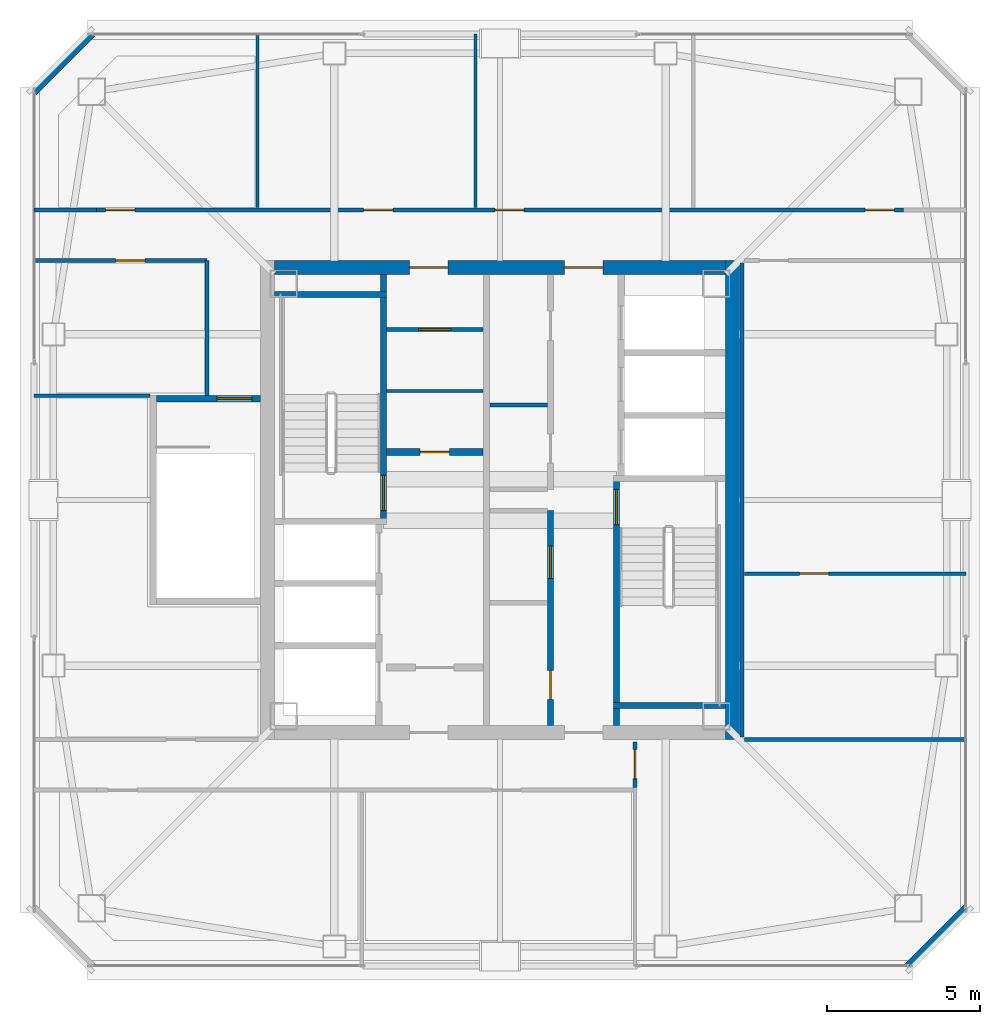
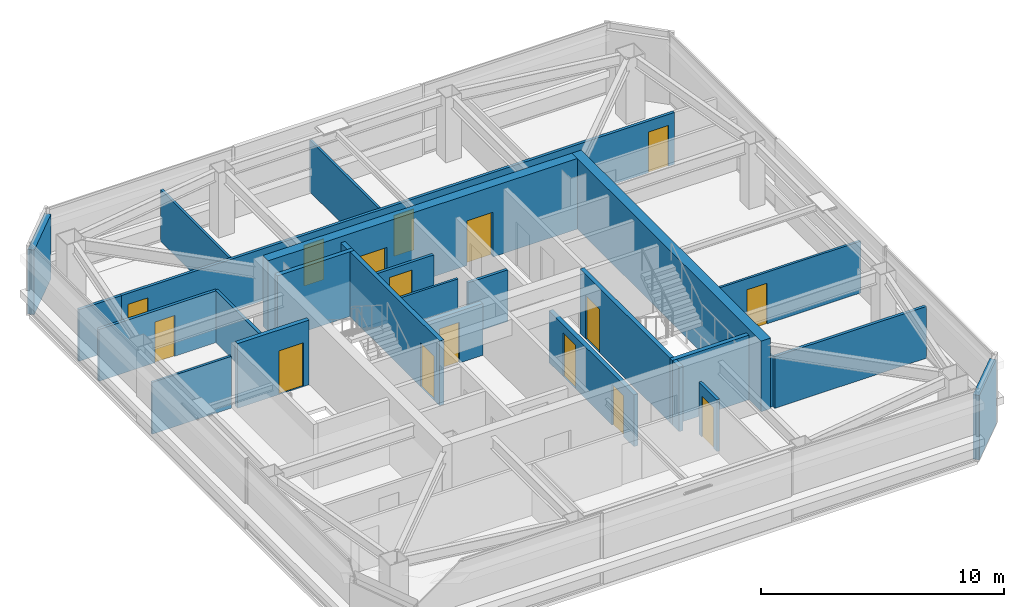
# One storey, part 14 of 18: 25 walls, 16 doors, 16 openings.
"""IFC4 building model written with IfcOpenShell, lengths in metres."""

from ifc_helpers import new_model, si_unit, direction, frame, frame_2d, origin, place, context, subcontext, project, spatial, rectangle, extrude, material, layer, layer_set, type_object, element, fill, save


model = new_model("IFC4")

# Units and contexts
model_context = context("Model", 3, precision=1e-05, world=origin(), true_north=direction((0.0, 1.0)))
body_context = subcontext(model_context, "Body", "Model", "MODEL_VIEW")
ifc_project = project(units=[si_unit("LENGTHUNIT", "METRE"), si_unit("AREAUNIT", "SQUARE_METRE"), si_unit("VOLUMEUNIT", "CUBIC_METRE"), si_unit("PLANEANGLEUNIT", "RADIAN"), si_unit("MASSUNIT", "GRAM", prefix="KILO")], contexts=[model_context])

# Site, building, storey
site_placement = place(None, origin())
site = spatial("IfcSite", under=ifc_project, at=site_placement, CompositionType="ELEMENT")
building_placement = place(site_placement, origin())
building = spatial("IfcBuilding", under=site, at=building_placement, Name="Tashvorn Skyway Center", CompositionType="ELEMENT")
storey_placement = place(building_placement, frame((0.0, 0.0, 274.050048828125)))
storey = spatial("IfcBuildingStorey", under=building, at=storey_placement, Name="L74", CompositionType="ELEMENT", Elevation=274.050048828125)

# Wall
ifc_material_1 = material(Name="Concrete C50/60", Category="concrete")
ifc_layer_1 = layer(ifc_material_1, 0.449951171875)
ifc_layer_set_1 = layer_set([ifc_layer_1], Name="Concrete C50/60")
wall_type_1 = type_object("IfcWallType", Name="WALL-CORE-450", PredefinedType="SHEAR", material=ifc_layer_set_1)
wall_1_placement = place(storey_placement, frame((49.574951171875, 39.800048828125, 0.0), z_axis=(0.0, 0.0, 1.0), x_axis=(0.0, -1.0, 0.0)))
element("IfcWall", 1, at=wall_1_placement, inside=storey, type_object=wall_type_1, Name="Tower 1 L74 East Core Shear Wall", PredefinedType="SHEAR", context=body_context, shape_type="SweptSolid", body=[
    extrude(rectangle(XDim=15.60009765625, YDim=0.449951171875, at=frame_2d((7.800048828125, 0.0))), origin(), (0.0, 0.0, 1.0), 3.550048828125),
])

# Wall, openings, doors
wall_2_placement = place(storey_placement, frame((34.64990234375, 39.574951171875, 0.0), z_axis=(0.0, 0.0, 1.0), x_axis=(1.0, 0.0, 0.0)))
wall_2 = element("IfcWall", 2, at=wall_2_placement, inside=storey, type_object=wall_type_1, Name="Tower 1 L74 North Core Shear Wall", PredefinedType="SHEAR", context=body_context, shape_type="SweptSolid", body=[
    extrude(rectangle(XDim=14.7001953125, YDim=0.449951171875, at=frame_2d((7.35009765625, 0.0))), origin(), (0.0, 0.0, 1.0), 3.550048828125),
])
opening_1_placement = place(wall_2_placement, frame((4.39990234375, 0.0, 0.0)))
opening_1 = element("IfcOpeningElement", 3, at=opening_1_placement, cuts=wall_2, Name="Opening D-FFL-1250", PredefinedType="OPENING", context=body_context, shape_type="SweptSolid", body=[
    extrude(rectangle(XDim=1.25, YDim=2.25, at=frame_2d((0.625, 1.125))), frame((0.0, 0.23486328125, 0.0), z_axis=(0.0, -1.0, 0.0), x_axis=(1.0, 0.0, 0.0)), (0.0, 0.0, 1.0), 0.469970703125),
])
opening_2_placement = place(wall_2_placement, frame((9.449951171875, 0.0, 0.0)))
opening_2 = element("IfcOpeningElement", 4, at=opening_2_placement, cuts=wall_2, Name="Opening D-FFL-1250", PredefinedType="OPENING", context=body_context, shape_type="SweptSolid", body=[
    extrude(rectangle(XDim=1.25, YDim=2.25, at=frame_2d((0.625, 1.125))), frame((0.0, 0.23486328125, 0.0), z_axis=(0.0, -1.0, 0.0), x_axis=(1.0, 0.0, 0.0)), (0.0, 0.0, 1.0), 0.469970703125),
])
ifc_material_2 = material(Name="Hollow galvanized steel fire door assembly", Category="steel")
door_type_1 = type_object("IfcDoorType", Name="DOOR-FFL-1250", OperationType="NOTDEFINED", PredefinedType="DOOR", material=ifc_material_2)
door_1_placement = place(opening_1_placement, origin())
door_1 = element("IfcDoor", 5, at=door_1_placement, inside=storey, type_object=door_type_1, Name="Tower 1 L74 Core North Service Lobby Door", OperationType="SINGLE_SWING_LEFT", OverallHeight=2.25, OverallWidth=1.25, PredefinedType="DOOR", context=body_context, shape_type="SweptSolid", body=[
    extrude(rectangle(XDim=1.25, YDim=2.25, at=frame_2d((0.625, 1.125))), frame((0.0, 0.02490234375, 0.0), z_axis=(0.0, -1.0, 0.0), x_axis=(1.0, 0.0, 0.0)), (0.0, 0.0, 1.0), 0.050048828125),
])
fill(opening_1, door_1)
door_2_placement = place(opening_2_placement, origin())
door_2 = element("IfcDoor", 6, at=door_2_placement, inside=storey, type_object=door_type_1, Name="Tower 1 L74 Core North Lift Lobby Door", OperationType="SINGLE_SWING_RIGHT", OverallHeight=2.25, OverallWidth=1.25, PredefinedType="DOOR", context=body_context, shape_type="SweptSolid", body=[
    extrude(rectangle(XDim=1.25, YDim=2.25, at=frame_2d((0.625, 1.125))), frame((0.0, 0.02490234375, 0.0), z_axis=(0.0, -1.0, 0.0), x_axis=(1.0, 0.0, 0.0)), (0.0, 0.0, 1.0), 0.050048828125),
])
fill(opening_2, door_2)

# Walls
ifc_material_3 = material(Name="Precast concrete C40/50", Category="concrete")
ifc_layer_2 = layer(ifc_material_3, 0.280029296875)
ifc_layer_set_2 = layer_set([ifc_layer_2], Name="Precast concrete C40/50")
wall_type_2 = type_object("IfcWallType", Name="WALL-EXT-280", PredefinedType="SOLIDWALL", material=ifc_layer_set_2)
for number, where, z_axis, x_axis, name in (
    (7, (26.800048828125, 45.300048828125, 0.0), (0.0, 0.0, 1.0), (0.707106781187, 0.707106781187, 0.0), "Tower 1 L74 NW Precast Chamfer Wall"),
    (8, (57.199951171875, 18.699951171875, 0.0), (0.0, 0.0, 1.0), (-0.707106781187, -0.707106781187, 0.0), "Tower 1 L74 SE Precast Chamfer Wall"),
):
    element("IfcWall", number, at=place(storey_placement, frame(where, z_axis=z_axis, x_axis=x_axis)), inside=storey, type_object=wall_type_2, Name=name, PredefinedType="SOLIDWALL", context=body_context, shape_type="SweptSolid", body=[
        extrude(rectangle(XDim=2.686767578125, YDim=0.280029296875, at=frame_2d((1.34326171875, 0.0))), origin(), (0.0, 0.0, 1.0), 3.25),
    ])

# Wall, opening, door
ifc_material_4 = material(Name="Concrete C40/50", Category="concrete")
ifc_layer_3 = layer(ifc_material_4, 0.219970703125)
ifc_layer_set_3 = layer_set([ifc_layer_3], Name="Concrete C40/50")
wall_type_3 = type_object("IfcWallType", Name="WALL-FFL-220", PredefinedType="SOLIDWALL", material=ifc_layer_set_3)
wall_3_placement = place(storey_placement, frame((38.300048828125, 33.56005859375, 0.0), z_axis=(0.0, 0.0, 1.0), x_axis=(1.0, 0.0, 0.0)))
wall_3 = element("IfcWall", 9, at=wall_3_placement, inside=storey, type_object=wall_type_3, Name="Tower 1 L74 Firefighting Lobby North Wall", PredefinedType="SOLIDWALL", context=body_context, shape_type="SweptSolid", body=[
    extrude(rectangle(XDim=3.14990234375, YDim=0.219970703125, at=frame_2d((1.574951171875, 0.0))), origin(), (0.0, 0.0, 1.0), 2.60302734375),
])
opening_3_placement = place(wall_3_placement, frame((1.10009765625, 0.0, 0.0)))
opening_3 = element("IfcOpeningElement", 10, at=opening_3_placement, cuts=wall_3, Name="Opening D-RT-950", PredefinedType="OPENING", context=body_context, shape_type="SweptSolid", body=[
    extrude(rectangle(XDim=0.949951171875, YDim=2.050048828125, at=frame_2d((0.47509765625, 1.02490234375))), frame((0.0, 0.119873046875, 0.0), z_axis=(0.0, -1.0, 0.0), x_axis=(1.0, 0.0, 0.0)), (0.0, 0.0, 1.0), 0.239990234375),
])
door_type_2 = type_object("IfcDoorType", Name="DOOR-RATED-950", OperationType="NOTDEFINED", PredefinedType="DOOR", material=ifc_material_2)
door_3_placement = place(opening_3_placement, origin())
door_3 = element("IfcDoor", 11, at=door_3_placement, inside=storey, type_object=door_type_2, Name="Tower 1 L74 Core Linen Store Door", OperationType="SINGLE_SWING_LEFT", OverallHeight=2.050048828125, OverallWidth=0.949951171875, PredefinedType="DOOR", context=body_context, shape_type="SweptSolid", body=[
    extrude(rectangle(XDim=0.949951171875, YDim=2.050048828125, at=frame_2d((0.47509765625, 1.02490234375))), frame((0.0, 0.02490234375, 0.0), z_axis=(0.0, -1.0, 0.0), x_axis=(1.0, 0.0, 0.0)), (0.0, 0.0, 1.0), 0.050048828125),
])
fill(opening_3, door_3)

# Walls
ifc_material_5 = material(Name="Gypsum board on cold-formed steel stud framing", Category="steel")
ifc_layer_4 = layer(ifc_material_5, 0.110107421875)
ifc_layer_set_4 = layer_set([ifc_layer_4], Name="Gypsum board on cold-formed steel stud framing")
wall_type_4 = type_object("IfcWallType", Name="WALL-PART-110", PredefinedType="PARTITIONING", material=ifc_layer_set_4)
for number, where, z_axis, x_axis, name in (
    (12, (34.10009765625, 41.530029296875, 0.0), (0.0, 0.0, 1.0), (0.0, 1.0, 0.0), "Tower 1 L74 North Suite Partition 1"),
    (13, (41.199951171875, 41.530029296875, 0.0), (0.0, 0.0, 1.0), (0.0, 1.0, 0.0), "Tower 1 L74 North Suite Partition 2"),
):
    element("IfcWall", number, at=place(storey_placement, frame(where, z_axis=z_axis, x_axis=x_axis)), inside=storey, type_object=wall_type_4, Name=name, PredefinedType="PARTITIONING", context=body_context, shape_type="SweptSolid", body=[
        extrude(rectangle(XDim=5.64990234375, YDim=0.110107421875, at=frame_2d((2.824951171875, 0.0))), origin(), (0.0, 0.0, 1.0), 2.60302734375),
    ])

# Wall, opening, door
wall_4_placement = place(storey_placement, frame((49.9599609375, 29.60009765625, 0.0), z_axis=(0.0, 0.0, 1.0), x_axis=(1.0, 0.0, 0.0)))
wall_4 = element("IfcWall", 14, at=wall_4_placement, inside=storey, type_object=wall_type_4, Name="Tower 1 L74 East Mid Partition", PredefinedType="PARTITIONING", context=body_context, shape_type="SweptSolid", body=[
    extrude(rectangle(XDim=7.219970703125, YDim=0.110107421875, at=frame_2d((3.60986328125, 0.0))), origin(), (0.0, 0.0, 1.0), 2.60302734375),
])
opening_4_placement = place(wall_4_placement, frame((1.800048828125, 0.0, 0.0)))
opening_4 = element("IfcOpeningElement", 15, at=opening_4_placement, cuts=wall_4, Name="Opening D-INT-950", PredefinedType="OPENING", context=body_context, shape_type="SweptSolid", body=[
    extrude(rectangle(XDim=0.949951171875, YDim=2.050048828125, at=frame_2d((0.47509765625, 1.02490234375))), frame((0.0, 0.06494140625, 0.0), z_axis=(0.0, -1.0, 0.0), x_axis=(1.0, 0.0, 0.0)), (0.0, 0.0, 1.0), 0.130126953125),
])
ifc_material_6 = material(Name="Solid-core architectural oak veneer door")
door_type_3 = type_object("IfcDoorType", Name="DOOR-INT-950", OperationType="NOTDEFINED", PredefinedType="DOOR", material=ifc_material_6)
door_4_placement = place(opening_4_placement, origin())
door_4 = element("IfcDoor", 16, at=door_4_placement, inside=storey, type_object=door_type_3, Name="Tower 1 L74 Collaborative Studio Door", OperationType="SINGLE_SWING_LEFT", OverallHeight=2.050048828125, OverallWidth=0.949951171875, PredefinedType="DOOR", context=body_context, shape_type="SweptSolid", body=[
    extrude(rectangle(XDim=0.949951171875, YDim=2.050048828125, at=frame_2d((0.47509765625, 1.02490234375))), frame((0.0, 0.02490234375, 0.0), z_axis=(0.0, -1.0, 0.0), x_axis=(1.0, 0.0, 0.0)), (0.0, 0.0, 1.0), 0.050048828125),
])
fill(opening_4, door_4)

# Walls
wall_5_placement = place(storey_placement, frame((30.60009765625, 35.39990234375, 0.0), z_axis=(0.0, 0.0, 1.0), x_axis=(-1.0, 0.0, 0.0)))
element("IfcWall", 17, at=wall_5_placement, inside=storey, type_object=wall_type_4, Name="Tower 1 L74 West Suite Partition 1", PredefinedType="PARTITIONING", context=body_context, shape_type="SweptSolid", body=[
    extrude(rectangle(XDim=3.780029296875, YDim=0.110107421875, at=frame_2d((1.89013671875, 0.0))), origin(), (0.0, 0.0, 1.0), 2.60302734375),
])
ifc_layer_5 = layer(ifc_material_5, 0.135009765625)
ifc_layer_set_5 = layer_set([ifc_layer_5], Name="Gypsum board on cold-formed steel stud framing")
wall_type_5 = type_object("IfcWallType", Name="WALL-PART-135", PredefinedType="PARTITIONING", material=ifc_layer_set_5)
wall_6_placement = place(storey_placement, frame((32.449951171875, 35.39990234375, 0.0), z_axis=(0.0, 0.0, 1.0), x_axis=(0.0, 1.0, 0.0)))
element("IfcWall", 18, at=wall_6_placement, inside=storey, type_object=wall_type_5, Name="Tower 1 L74 Stair 3 Access Corridor Wall", PredefinedType="PARTITIONING", context=body_context, shape_type="SweptSolid", body=[
    extrude(rectangle(XDim=4.400146484375, YDim=0.135009765625, at=frame_2d((2.2001953125, 0.0))), origin(), (0.0, 0.0, 1.0), 2.60302734375),
])

# Wall, openings, doors
wall_7_placement = place(storey_placement, frame((28.85009765625, 41.449951171875, 0.0), z_axis=(0.0, 0.0, 1.0), x_axis=(1.0, 0.0, 0.0)))
wall_7 = element("IfcWall", 19, at=wall_7_placement, inside=storey, type_object=wall_type_5, Name="Tower 1 L74 North Suite Wall", PredefinedType="PARTITIONING", context=body_context, shape_type="SweptSolid", body=[
    extrude(rectangle(XDim=26.2998046875, YDim=0.135009765625, at=frame_2d((13.14990234375, 0.0))), origin(), (0.0, 0.0, 1.0), 2.60302734375),
])
opening_5_placement = place(wall_7_placement, frame((0.300048828125, 0.0, 0.0)))
opening_5 = element("IfcOpeningElement", 20, at=opening_5_placement, cuts=wall_7, Name="Opening D-INT-950", PredefinedType="OPENING", context=body_context, shape_type="SweptSolid", body=[
    extrude(rectangle(XDim=0.949951171875, YDim=2.050048828125, at=frame_2d((0.47509765625, 1.02490234375))), frame((0.0, 0.077392578125, 0.0), z_axis=(0.0, -1.0, 0.0), x_axis=(1.0, 0.0, 0.0)), (0.0, 0.0, 1.0), 0.155029296875),
])
opening_6_placement = place(wall_7_placement, frame((8.7099609375, 0.0, 0.0)))
opening_6 = element("IfcOpeningElement", 21, at=opening_6_placement, cuts=wall_7, Name="Opening D-INT-950", PredefinedType="OPENING", context=body_context, shape_type="SweptSolid", body=[
    extrude(rectangle(XDim=0.949951171875, YDim=2.050048828125, at=frame_2d((0.47509765625, 1.02490234375))), frame((0.0, 0.077392578125, 0.0), z_axis=(0.0, -1.0, 0.0), x_axis=(1.0, 0.0, 0.0)), (0.0, 0.0, 1.0), 0.155029296875),
])
opening_7_placement = place(wall_7_placement, frame((12.98681640625, 0.0, 0.0)))
opening_7 = element("IfcOpeningElement", 22, at=opening_7_placement, cuts=wall_7, Name="Opening D-INT-950", PredefinedType="OPENING", context=body_context, shape_type="SweptSolid", body=[
    extrude(rectangle(XDim=0.949951171875, YDim=2.050048828125, at=frame_2d((0.47509765625, 1.02490234375))), frame((0.0, 0.077392578125, 0.0), z_axis=(0.0, -1.0, 0.0), x_axis=(1.0, 0.0, 0.0)), (0.0, 0.0, 1.0), 0.155029296875),
])
opening_8_placement = place(wall_7_placement, frame((25.050048828125, 0.0, 0.0)))
opening_8 = element("IfcOpeningElement", 23, at=opening_8_placement, cuts=wall_7, Name="Opening D-INT-950", PredefinedType="OPENING", context=body_context, shape_type="SweptSolid", body=[
    extrude(rectangle(XDim=0.949951171875, YDim=2.050048828125, at=frame_2d((0.47509765625, 1.02490234375))), frame((0.0, 0.077392578125, 0.0), z_axis=(0.0, -1.0, 0.0), x_axis=(1.0, 0.0, 0.0)), (0.0, 0.0, 1.0), 0.155029296875),
])
door_5_placement = place(opening_5_placement, origin())
door_5 = element("IfcDoor", 24, at=door_5_placement, inside=storey, type_object=door_type_3, Name="Tower 1 L74 Gallery Showroom Door", OperationType="SINGLE_SWING_LEFT", OverallHeight=2.050048828125, OverallWidth=0.949951171875, PredefinedType="DOOR", context=body_context, shape_type="SweptSolid", body=[
    extrude(rectangle(XDim=0.949951171875, YDim=2.050048828125, at=frame_2d((0.47509765625, 1.02490234375))), frame((0.0, 0.02490234375, 0.0), z_axis=(0.0, -1.0, 0.0), x_axis=(1.0, 0.0, 0.0)), (0.0, 0.0, 1.0), 0.050048828125),
])
fill(opening_5, door_5)
door_6_placement = place(opening_6_placement, origin())
door_6 = element("IfcDoor", 25, at=door_6_placement, inside=storey, type_object=door_type_3, Name="Tower 1 L74 Gallery Showroom Door", OperationType="SINGLE_SWING_RIGHT", OverallHeight=2.050048828125, OverallWidth=0.949951171875, PredefinedType="DOOR", context=body_context, shape_type="SweptSolid", body=[
    extrude(rectangle(XDim=0.949951171875, YDim=2.050048828125, at=frame_2d((0.47509765625, 1.02490234375))), frame((0.0, 0.02490234375, 0.0), z_axis=(0.0, -1.0, 0.0), x_axis=(1.0, 0.0, 0.0)), (0.0, 0.0, 1.0), 0.050048828125),
])
fill(opening_6, door_6)
door_7_placement = place(opening_7_placement, origin())
door_7 = element("IfcDoor", 26, at=door_7_placement, inside=storey, type_object=door_type_3, Name="Tower 1 L74 Catering Pantry Door", OperationType="SINGLE_SWING_LEFT", OverallHeight=2.050048828125, OverallWidth=0.949951171875, PredefinedType="DOOR", context=body_context, shape_type="SweptSolid", body=[
    extrude(rectangle(XDim=0.949951171875, YDim=2.050048828125, at=frame_2d((0.47509765625, 1.02490234375))), frame((0.0, 0.02490234375, 0.0), z_axis=(0.0, -1.0, 0.0), x_axis=(1.0, 0.0, 0.0)), (0.0, 0.0, 1.0), 0.050048828125),
])
fill(opening_7, door_7)
door_8_placement = place(opening_8_placement, origin())
door_8 = element("IfcDoor", 27, at=door_8_placement, inside=storey, type_object=door_type_3, Name="Tower 1 L74 Conference Room Door", OperationType="SINGLE_SWING_RIGHT", OverallHeight=2.050048828125, OverallWidth=0.949951171875, PredefinedType="DOOR", context=body_context, shape_type="SweptSolid", body=[
    extrude(rectangle(XDim=0.949951171875, YDim=2.050048828125, at=frame_2d((0.47509765625, 1.02490234375))), frame((0.0, 0.02490234375, 0.0), z_axis=(0.0, -1.0, 0.0), x_axis=(1.0, 0.0, 0.0)), (0.0, 0.0, 1.0), 0.050048828125),
])
fill(opening_8, door_8)

# Wall
wall_8_placement = place(storey_placement, frame((26.820068359375, 41.449951171875, 0.0), z_axis=(0.0, 0.0, 1.0), x_axis=(1.0, 0.0, 0.0)))
element("IfcWall", 28, at=wall_8_placement, inside=storey, type_object=wall_type_5, Name="Tower 1 L74 North-West Suite South Wall", PredefinedType="PARTITIONING", context=body_context, shape_type="SweptSolid", body=[
    extrude(rectangle(XDim=2.030029296875, YDim=0.135009765625, at=frame_2d((1.01513671875, 0.0))), origin(), (0.0, 0.0, 1.0), 2.60302734375),
])

# Wall, opening, door
wall_9_placement = place(storey_placement, frame((46.39990234375, 24.1201171875, 0.0), z_axis=(0.0, 0.0, 1.0), x_axis=(0.0, -1.0, 0.0)))
wall_9 = element("IfcWall", 29, at=wall_9_placement, inside=storey, type_object=wall_type_5, Name="Tower 1 L74 South Gallery End Wall", PredefinedType="PARTITIONING", context=body_context, shape_type="SweptSolid", body=[
    extrude(rectangle(XDim=1.490234375, YDim=0.135009765625, at=frame_2d((0.7451171875, 0.0))), origin(), (0.0, 0.0, 1.0), 2.60302734375),
])
opening_9_placement = place(wall_9_placement, frame((0.25, 0.0, 0.0)))
opening_9 = element("IfcOpeningElement", 30, at=opening_9_placement, cuts=wall_9, Name="Opening D-INT-950", PredefinedType="OPENING", context=body_context, shape_type="SweptSolid", body=[
    extrude(rectangle(XDim=0.949951171875, YDim=2.050048828125, at=frame_2d((0.47509765625, 1.02490234375))), frame((0.0, 0.077392578125, 0.0), z_axis=(0.0, -1.0, 0.0), x_axis=(1.0, 0.0, 0.0)), (0.0, 0.0, 1.0), 0.155029296875),
])
door_9_placement = place(opening_9_placement, origin())
door_9 = element("IfcDoor", 31, at=door_9_placement, inside=storey, type_object=door_type_3, Name="Tower 1 L74 Conference Room Door", OperationType="SINGLE_SWING_LEFT", OverallHeight=2.050048828125, OverallWidth=0.949951171875, PredefinedType="DOOR", context=body_context, shape_type="SweptSolid", body=[
    extrude(rectangle(XDim=0.949951171875, YDim=2.050048828125, at=frame_2d((0.47509765625, 1.02490234375))), frame((0.0, 0.02490234375, 0.0), z_axis=(0.0, -1.0, 0.0), x_axis=(1.0, 0.0, 0.0)), (0.0, 0.0, 1.0), 0.050048828125),
])
fill(opening_9, door_9)

# Walls
wall_10_placement = place(storey_placement, frame((49.8798828125, 39.719970703125, 0.0), z_axis=(0.0, 0.0, 1.0), x_axis=(0.0, -1.0, 0.0)))
element("IfcWall", 32, at=wall_10_placement, inside=storey, type_object=wall_type_5, Name="Tower 1 L74 East Inner Suite Wall", PredefinedType="PARTITIONING", context=body_context, shape_type="SweptSolid", body=[
    extrude(rectangle(XDim=15.43994140625, YDim=0.135009765625, at=frame_2d((7.719970703125, 0.0))), origin(), (0.0, 0.0, 1.0), 2.60302734375),
])
wall_11_placement = place(storey_placement, frame((49.9599609375, 24.199951171875, 0.0), z_axis=(0.0, 0.0, 1.0), x_axis=(1.0, 0.0, 0.0)))
element("IfcWall", 33, at=wall_11_placement, inside=storey, type_object=wall_type_5, Name="Tower 1 L74 East Suite South Wall", PredefinedType="PARTITIONING", context=body_context, shape_type="SweptSolid", body=[
    extrude(rectangle(XDim=7.219970703125, YDim=0.135009765625, at=frame_2d((3.60986328125, 0.0))), origin(), (0.0, 0.0, 1.0), 2.60302734375),
])

# Wall, opening, door
wall_12_placement = place(storey_placement, frame((32.449951171875, 39.800048828125, 0.0), z_axis=(0.0, 0.0, 1.0), x_axis=(-1.0, 0.0, 0.0)))
wall_12 = element("IfcWall", 34, at=wall_12_placement, inside=storey, type_object=wall_type_5, Name="Tower 1 L74 West Suite North Wall", PredefinedType="PARTITIONING", context=body_context, shape_type="SweptSolid", body=[
    extrude(rectangle(XDim=5.6298828125, YDim=0.135009765625, at=frame_2d((2.81494140625, 0.0))), origin(), (0.0, 0.0, 1.0), 2.60302734375),
])
opening_10_placement = place(wall_12_placement, frame((2.02490234375, 0.0, 0.0)))
opening_10 = element("IfcOpeningElement", 35, at=opening_10_placement, cuts=wall_12, Name="Opening D-INT-950", PredefinedType="OPENING", context=body_context, shape_type="SweptSolid", body=[
    extrude(rectangle(XDim=0.949951171875, YDim=2.050048828125, at=frame_2d((0.47509765625, 1.02490234375))), frame((0.0, 0.077392578125, 0.0), z_axis=(0.0, -1.0, 0.0), x_axis=(1.0, 0.0, 0.0)), (0.0, 0.0, 1.0), 0.155029296875),
])
door_10_placement = place(opening_10_placement, origin())
door_10 = element("IfcDoor", 36, at=door_10_placement, inside=storey, type_object=door_type_3, Name="Tower 1 L74 Collaborative Studio Door", OperationType="SINGLE_SWING_RIGHT", OverallHeight=2.050048828125, OverallWidth=0.949951171875, PredefinedType="DOOR", context=body_context, shape_type="SweptSolid", body=[
    extrude(rectangle(XDim=0.949951171875, YDim=2.050048828125, at=frame_2d((0.47509765625, 1.02490234375))), frame((0.0, 0.02490234375, 0.0), z_axis=(0.0, -1.0, 0.0), x_axis=(1.0, 0.0, 0.0)), (0.0, 0.0, 1.0), 0.050048828125),
])
fill(opening_10, door_10)

# Wall
ifc_layer_6 = layer(ifc_material_5, 0.110107421875)
ifc_layer_set_6 = layer_set([ifc_layer_6], Name="Gypsum board on cold-formed steel stud framing")
wall_type_6 = type_object("IfcWallType", Name="WALL-RATED-110", PredefinedType="PARTITIONING", material=ifc_layer_set_6)
wall_13_placement = place(storey_placement, frame((38.300048828125, 35.550048828125, 0.0), z_axis=(0.0, 0.0, 1.0), x_axis=(1.0, 0.0, 0.0)))
element("IfcWall", 37, at=wall_13_placement, inside=storey, type_object=wall_type_6, Name="Tower 1 L74 Core Transverse Wall", PredefinedType="PARTITIONING", context=body_context, shape_type="SweptSolid", body=[
    extrude(rectangle(XDim=3.14990234375, YDim=0.110107421875, at=frame_2d((1.574951171875, 0.0))), origin(), (0.0, 0.0, 1.0), 2.60302734375),
])

# Wall, opening, door
ifc_layer_7 = layer(ifc_material_5, 0.135009765625)
ifc_layer_set_7 = layer_set([ifc_layer_7], Name="Gypsum board on cold-formed steel stud framing")
wall_type_7 = type_object("IfcWallType", Name="WALL-RATED-135", PredefinedType="PARTITIONING", material=ifc_layer_set_7)
wall_14_placement = place(storey_placement, frame((38.300048828125, 37.550048828125, 0.0), z_axis=(0.0, 0.0, 1.0), x_axis=(1.0, 0.0, 0.0)))
wall_14 = element("IfcWall", 38, at=wall_14_placement, inside=storey, type_object=wall_type_7, Name="Tower 1 L74 Core Service Lobby Wall", PredefinedType="PARTITIONING", context=body_context, shape_type="SweptSolid", body=[
    extrude(rectangle(XDim=3.14990234375, YDim=0.135009765625, at=frame_2d((1.574951171875, 0.0))), origin(), (0.0, 0.0, 1.0), 2.60302734375),
])
opening_11_placement = place(wall_14_placement, frame((1.050048828125, 0.0, 0.0)))
opening_11 = element("IfcOpeningElement", 39, at=opening_11_placement, cuts=wall_14, Name="Opening D-RT-1050", PredefinedType="OPENING", context=body_context, shape_type="SweptSolid", body=[
    extrude(rectangle(XDim=1.050048828125, YDim=2.199951171875, at=frame_2d((0.52490234375, 1.10009765625))), frame((0.0, 0.077392578125, 0.0), z_axis=(0.0, -1.0, 0.0), x_axis=(1.0, 0.0, 0.0)), (0.0, 0.0, 1.0), 0.155029296875),
])
door_type_4 = type_object("IfcDoorType", Name="DOOR-RATED-1050", OperationType="NOTDEFINED", PredefinedType="DOOR", material=ifc_material_2)
door_11_placement = place(opening_11_placement, origin())
door_11 = element("IfcDoor", 40, at=door_11_placement, inside=storey, type_object=door_type_4, Name="Tower 1 L74 Core Accessible WC Door", OperationType="SINGLE_SWING_RIGHT", OverallHeight=2.199951171875, OverallWidth=1.050048828125, PredefinedType="DOOR", context=body_context, shape_type="SweptSolid", body=[
    extrude(rectangle(XDim=1.050048828125, YDim=2.199951171875, at=frame_2d((0.52490234375, 1.10009765625))), frame((0.0, 0.02490234375, 0.0), z_axis=(0.0, -1.0, 0.0), x_axis=(1.0, 0.0, 0.0)), (0.0, 0.0, 1.0), 0.050048828125),
])
fill(opening_11, door_11)

# Wall
wall_15_placement = place(storey_placement, frame((41.669921875, 35.10009765625, 0.0), z_axis=(0.0, 0.0, 1.0), x_axis=(1.0, 0.0, 0.0)))
element("IfcWall", 41, at=wall_15_placement, inside=storey, type_object=wall_type_7, Name="Tower 1 L74 Freed Mid-Rise Partition", PredefinedType="PARTITIONING", context=body_context, shape_type="SweptSolid", body=[
    extrude(rectangle(XDim=1.880126953125, YDim=0.135009765625, at=frame_2d((0.93994140625, 0.0))), origin(), (0.0, 0.0, 1.0), 2.60302734375),
])

# Wall, openings, doors
ifc_layer_8 = layer(ifc_material_4, 0.199951171875)
ifc_layer_set_8 = layer_set([ifc_layer_8], Name="Concrete C40/50")
wall_type_8 = type_object("IfcWallType", Name="WALL-SHAFT-200", PredefinedType="SOLIDWALL", material=ifc_layer_set_8)
wall_16_placement = place(storey_placement, frame((43.64990234375, 24.64990234375, 0.0), z_axis=(0.0, 0.0, 1.0), x_axis=(0.0, 1.0, 0.0)))
wall_16 = element("IfcWall", 42, at=wall_16_placement, inside=storey, type_object=wall_type_8, Name="Tower 1 L74 Low-Rise Core Wall", PredefinedType="SOLIDWALL", context=body_context, shape_type="SweptSolid", body=[
    extrude(rectangle(XDim=7.0, YDim=0.199951171875, at=frame_2d((3.5, 0.0))), origin(), (0.0, 0.0, 1.0), 2.60302734375),
])
opening_12_placement = place(wall_16_placement, frame((0.85009765625, 0.0, 0.0)))
opening_12 = element("IfcOpeningElement", 43, at=opening_12_placement, cuts=wall_16, Name="Opening D-RT-950", PredefinedType="OPENING", context=body_context, shape_type="SweptSolid", body=[
    extrude(rectangle(XDim=0.949951171875, YDim=2.050048828125, at=frame_2d((0.47509765625, 1.02490234375))), frame((0.0, 0.10986328125, 0.0), z_axis=(0.0, -1.0, 0.0), x_axis=(1.0, 0.0, 0.0)), (0.0, 0.0, 1.0), 0.219970703125),
])
opening_13_placement = place(wall_16_placement, frame((4.800048828125, 0.0, 0.0)))
opening_13 = element("IfcOpeningElement", 44, at=opening_13_placement, cuts=wall_16, Name="Opening D-RT-1050", PredefinedType="OPENING", context=body_context, shape_type="SweptSolid", body=[
    extrude(rectangle(XDim=1.050048828125, YDim=2.199951171875, at=frame_2d((0.52490234375, 1.10009765625))), frame((0.0, 0.10986328125, 0.0), z_axis=(0.0, -1.0, 0.0), x_axis=(1.0, 0.0, 0.0)), (0.0, 0.0, 1.0), 0.219970703125),
])
door_12_placement = place(opening_13_placement, origin())
door_12 = element("IfcDoor", 45, at=door_12_placement, inside=storey, type_object=door_type_4, Name="Tower 1 L74 Freed Core Room Door", OperationType="SINGLE_SWING_RIGHT", OverallHeight=2.199951171875, OverallWidth=1.050048828125, PredefinedType="DOOR", context=body_context, shape_type="SweptSolid", body=[
    extrude(rectangle(XDim=1.050048828125, YDim=2.199951171875, at=frame_2d((0.52490234375, 1.10009765625))), frame((0.0, 0.02490234375, 0.0), z_axis=(0.0, -1.0, 0.0), x_axis=(1.0, 0.0, 0.0)), (0.0, 0.0, 1.0), 0.050048828125),
])
fill(opening_13, door_12)
door_13_placement = place(opening_12_placement, origin())
door_13 = element("IfcDoor", 46, at=door_13_placement, inside=storey, type_object=door_type_2, Name="Tower 1 L74 Core Print Room Door", OperationType="SINGLE_SWING_LEFT", OverallHeight=2.050048828125, OverallWidth=0.949951171875, PredefinedType="DOOR", context=body_context, shape_type="SweptSolid", body=[
    extrude(rectangle(XDim=0.949951171875, YDim=2.050048828125, at=frame_2d((0.47509765625, 1.02490234375))), frame((0.0, 0.02490234375, 0.0), z_axis=(0.0, -1.0, 0.0), x_axis=(1.0, 0.0, 0.0)), (0.0, 0.0, 1.0), 0.050048828125),
])
fill(opening_12, door_13)

# Wall, opening, door
ifc_layer_9 = layer(ifc_material_4, 0.199951171875)
ifc_layer_set_9 = layer_set([ifc_layer_9], Name="Concrete C40/50")
wall_type_9 = type_object("IfcWallType", Name="WALL-STSHF-200", PredefinedType="SHEAR", material=ifc_layer_set_9)
wall_17_placement = place(storey_placement, frame((38.199951171875, 31.199951171875, 0.0), z_axis=(0.0, 0.0, 1.0), x_axis=(0.0, 1.0, 0.0)))
wall_17 = element("IfcWall", 47, at=wall_17_placement, inside=storey, type_object=wall_type_9, Name="Tower 1 L74 Stair 1 Enclosure Wall", PredefinedType="SHEAR", context=body_context, shape_type="SweptSolid", body=[
    extrude(rectangle(XDim=8.150146484375, YDim=0.199951171875, at=frame_2d((4.0751953125, 0.0))), origin(), (0.0, 0.0, 1.0), 3.25),
])
opening_14_placement = place(wall_17_placement, frame((0.449951171875, 0.0, 0.0)))
opening_14 = element("IfcOpeningElement", 48, at=opening_14_placement, cuts=wall_17, Name="Opening D-ST-1150", PredefinedType="OPENING", context=body_context, shape_type="SweptSolid", body=[
    extrude(rectangle(XDim=1.14990234375, YDim=2.199951171875, at=frame_2d((0.574951171875, 1.10009765625))), frame((0.0, 0.10986328125, 0.0), z_axis=(0.0, -1.0, 0.0), x_axis=(1.0, 0.0, 0.0)), (0.0, 0.0, 1.0), 0.219970703125),
])
door_type_5 = type_object("IfcDoorType", Name="DOOR-STAIR-1150", OperationType="NOTDEFINED", PredefinedType="DOOR", material=ifc_material_2)
door_14_placement = place(opening_14_placement, origin())
door_14 = element("IfcDoor", 49, at=door_14_placement, inside=storey, type_object=door_type_5, Name="Tower 1 L74 Exit Stair 1 Door", OperationType="SINGLE_SWING_RIGHT", OverallHeight=2.199951171875, OverallWidth=1.14990234375, PredefinedType="DOOR", context=body_context, shape_type="SweptSolid", body=[
    extrude(rectangle(XDim=1.14990234375, YDim=2.199951171875, at=frame_2d((0.574951171875, 1.10009765625))), frame((0.0, 0.02490234375, 0.0), z_axis=(0.0, -1.0, 0.0), x_axis=(1.0, 0.0, 0.0)), (0.0, 0.0, 1.0), 0.050048828125),
])
fill(opening_14, door_14)

# Wall
wall_18_placement = place(storey_placement, frame((34.64990234375, 38.699951171875, 0.0), z_axis=(0.0, 0.0, 1.0), x_axis=(1.0, 0.0, 0.0)))
element("IfcWall", 50, at=wall_18_placement, inside=storey, type_object=wall_type_9, Name="Tower 1 L74 Stair 1 North Wall", PredefinedType="SHEAR", context=body_context, shape_type="SweptSolid", body=[
    extrude(rectangle(XDim=3.650146484375, YDim=0.199951171875, at=frame_2d((1.8251953125, 0.0))), origin(), (0.0, 0.0, 1.0), 3.25),
])

# Wall, opening, door
wall_19_placement = place(storey_placement, frame((45.800048828125, 32.800048828125, 0.0), z_axis=(0.0, 0.0, 1.0), x_axis=(0.0, -1.0, 0.0)))
wall_19 = element("IfcWall", 51, at=wall_19_placement, inside=storey, type_object=wall_type_9, Name="Tower 1 L74 Stair 2 Enclosure Wall", PredefinedType="SHEAR", context=body_context, shape_type="SweptSolid", body=[
    extrude(rectangle(XDim=8.150146484375, YDim=0.199951171875, at=frame_2d((4.0751953125, 0.0))), origin(), (0.0, 0.0, 1.0), 3.25),
])
opening_15_placement = place(wall_19_placement, frame((0.449951171875, 0.0, 0.0)))
opening_15 = element("IfcOpeningElement", 52, at=opening_15_placement, cuts=wall_19, Name="Opening D-ST-1150", PredefinedType="OPENING", context=body_context, shape_type="SweptSolid", body=[
    extrude(rectangle(XDim=1.14990234375, YDim=2.199951171875, at=frame_2d((0.574951171875, 1.10009765625))), frame((0.0, 0.10986328125, 0.0), z_axis=(0.0, -1.0, 0.0), x_axis=(1.0, 0.0, 0.0)), (0.0, 0.0, 1.0), 0.219970703125),
])
door_15_placement = place(opening_15_placement, origin())
door_15 = element("IfcDoor", 53, at=door_15_placement, inside=storey, type_object=door_type_5, Name="Tower 1 L74 Exit Stair 2 Door", OperationType="SINGLE_SWING_RIGHT", OverallHeight=2.199951171875, OverallWidth=1.14990234375, PredefinedType="DOOR", context=body_context, shape_type="SweptSolid", body=[
    extrude(rectangle(XDim=1.14990234375, YDim=2.199951171875, at=frame_2d((0.574951171875, 1.10009765625))), frame((0.0, 0.02490234375, 0.0), z_axis=(0.0, -1.0, 0.0), x_axis=(1.0, 0.0, 0.0)), (0.0, 0.0, 1.0), 0.050048828125),
])
fill(opening_15, door_15)

# Wall
wall_20_placement = place(storey_placement, frame((45.699951171875, 25.300048828125, 0.0), z_axis=(0.0, 0.0, 1.0), x_axis=(1.0, 0.0, 0.0)))
element("IfcWall", 54, at=wall_20_placement, inside=storey, type_object=wall_type_9, Name="Tower 1 L74 Stair 2 South Wall", PredefinedType="SHEAR", context=body_context, shape_type="SweptSolid", body=[
    extrude(rectangle(XDim=3.650146484375, YDim=0.199951171875, at=frame_2d((1.8251953125, 0.0))), origin(), (0.0, 0.0, 1.0), 3.25),
])

# Wall, opening, door
wall_21_placement = place(storey_placement, frame((34.199951171875, 35.300048828125, 0.0), z_axis=(0.0, 0.0, 1.0), x_axis=(-1.0, 0.0, 0.0)))
wall_21 = element("IfcWall", 55, at=wall_21_placement, inside=storey, type_object=wall_type_9, Name="Tower 1 L74 Stair 3 Enclosure Wall", PredefinedType="SHEAR", context=body_context, shape_type="SweptSolid", body=[
    extrude(rectangle(XDim=3.39990234375, YDim=0.199951171875, at=frame_2d((1.699951171875, 0.0))), origin(), (0.0, 0.0, 1.0), 3.25),
])
opening_16_placement = place(wall_21_placement, frame((0.27490234375, 0.0, 0.0)))
opening_16 = element("IfcOpeningElement", 56, at=opening_16_placement, cuts=wall_21, Name="Opening D-ST-1150", PredefinedType="OPENING", context=body_context, shape_type="SweptSolid", body=[
    extrude(rectangle(XDim=1.14990234375, YDim=2.199951171875, at=frame_2d((0.574951171875, 1.10009765625))), frame((0.0, 0.10986328125, 0.0), z_axis=(0.0, -1.0, 0.0), x_axis=(1.0, 0.0, 0.0)), (0.0, 0.0, 1.0), 0.219970703125),
])
door_16_placement = place(opening_16_placement, origin())
door_16 = element("IfcDoor", 57, at=door_16_placement, inside=storey, type_object=door_type_5, Name="Tower 1 L74 Exit Stair 3 Door", OperationType="SINGLE_SWING_RIGHT", OverallHeight=2.199951171875, OverallWidth=1.14990234375, PredefinedType="DOOR", context=body_context, shape_type="SweptSolid", body=[
    extrude(rectangle(XDim=1.14990234375, YDim=2.199951171875, at=frame_2d((0.574951171875, 1.10009765625))), frame((0.0, 0.02490234375, 0.0), z_axis=(0.0, -1.0, 0.0), x_axis=(1.0, 0.0, 0.0)), (0.0, 0.0, 1.0), 0.050048828125),
])
fill(opening_16, door_16)

save(model, "model.ifc")
